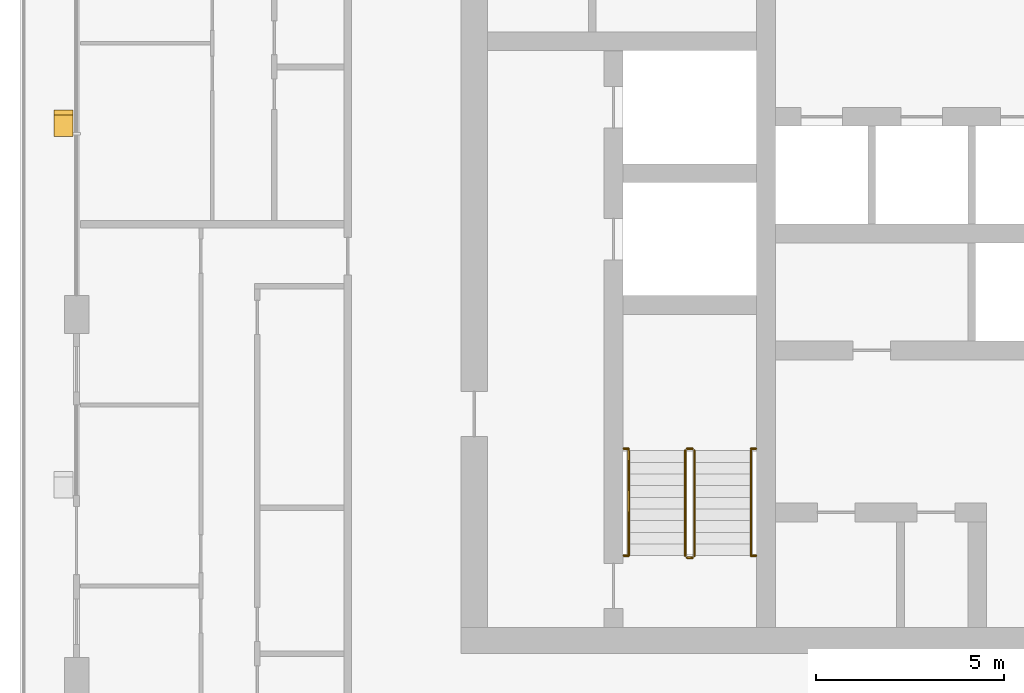
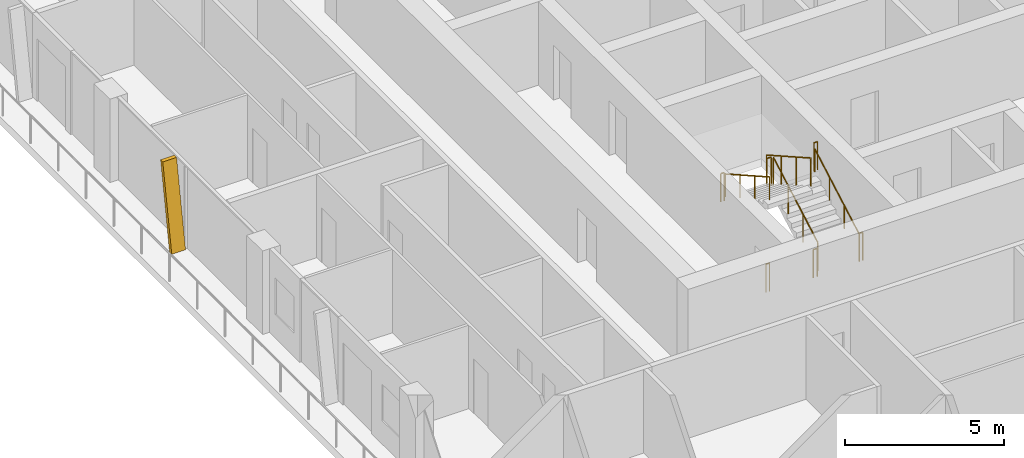
# One storey, part 18 of 22: 10 railings, 1 shading device.
"""IFC4 building model written with IfcOpenShell, lengths in metres."""

from ifc_helpers import new_model, si_unit, direction, frame, origin, origin_2d, place, context, subcontext, project, spatial, polyline, circle, outline, extrude, material, type_object, element, save


model = new_model("IFC4")

# Units and contexts
model_context = context("Model", 3, precision=1e-05, world=origin(), true_north=direction((0.0, 1.0)))
body_context = subcontext(model_context, "Body", "Model", "MODEL_VIEW")
ifc_project = project(units=[si_unit("LENGTHUNIT", "METRE"), si_unit("AREAUNIT", "SQUARE_METRE"), si_unit("VOLUMEUNIT", "CUBIC_METRE"), si_unit("PLANEANGLEUNIT", "RADIAN"), si_unit("MASSUNIT", "GRAM", prefix="KILO")], contexts=[model_context])

# Site, building, storey
site_placement = place(None, origin())
site = spatial("IfcSite", under=ifc_project, at=site_placement, CompositionType="ELEMENT")
building_placement = place(site_placement, origin())
building = spatial("IfcBuilding", under=site, at=building_placement, Name="Madar Terraces", CompositionType="ELEMENT")
storey_placement = place(building_placement, frame((0.0, 0.0, 182.39990234375)))
storey = spatial("IfcBuildingStorey", under=building, at=storey_placement, Name="L47", CompositionType="ELEMENT", Elevation=182.39990234375)

# Shading device
ifc_material_1 = material(Name="Aluminium, black anodised", Category="aluminium")
shading_device_type = type_object("IfcShadingDeviceType", Name="Facade fin blade 140 x 500", PredefinedType="USERDEFINED", material=ifc_material_1)
shading_device_placement = place(storey_placement, frame((4.449951171875, 28.8701171875, 0.0), z_axis=(0.0, 0.0, 1.0), x_axis=(0.0, -1.0, 0.0)))
element("IfcShadingDevice", 1, at=shading_device_placement, inside=storey, type_object=shading_device_type, Name="FIN L47 W2", ObjectType="FIN", PredefinedType="USERDEFINED", context=body_context, shape_type="SweptSolid", body=[
    extrude(outline(polyline([(0.0, 0.0), (0.14013671875, 0.0), (-0.42431640625, 3.2001953125), (-0.564208984375, 3.2001953125), (0.0, 0.0)])), frame((0.0, 0.25, 0.0), z_axis=(0.0, -1.0, 0.0), x_axis=(1.0, 0.0, 0.0)), (0.0, 0.0, 1.0), 0.5),
])

# Railings
ifc_material_2 = material(Name="Stainless steel railing", Category="steel")
railing_type_1 = type_object("IfcRailingType", Name="Stair guard 1100", PredefinedType="GUARDRAIL", material=ifc_material_2)
railing_1_placement = place(storey_placement, frame((21.199951171875, 17.60009765625, 0.175048828125)))
element("IfcRailing", 2, at=railing_1_placement, inside=storey, type_object=railing_type_1, Name="L47 ST1 stair guard 1", PredefinedType="GUARDRAIL", context=body_context, shape_type="SweptSolid", body=[
    extrude(circle(Radius=0.02392578125, at=origin_2d()), frame((0.0, 0.0, 1.076171875), z_axis=(0.0, 0.870815363784, 0.491610213684), x_axis=(-1.0, 0.0, 0.0)), (0.0, 0.0, 1.0), 3.20361328125),
    extrude(circle(Radius=0.02099609375, at=origin_2d()), origin(), (0.0, 0.0, 1.0), 1.052001953125),
    extrude(circle(Radius=0.02099609375, at=origin_2d()), frame((0.0, 0.929931640625, 0.52490234375)), (0.0, 0.0, 1.0), 1.052001953125),
    extrude(circle(Radius=0.02099609375, at=origin_2d()), frame((0.0, 1.85986328125, 1.050048828125)), (0.0, 0.0, 1.0), 1.052001953125),
    extrude(circle(Radius=0.02099609375, at=origin_2d()), frame((0.0, 2.789794921875, 1.574951171875)), (0.0, 0.0, 1.0), 1.052001953125),
])
railing_2_placement = place(storey_placement, frame((21.14990234375, 20.43994140625, 1.75)))
element("IfcRailing", 3, at=railing_2_placement, inside=storey, type_object=railing_type_1, Name="L47 ST1 stair guard 2", PredefinedType="GUARDRAIL", context=body_context, shape_type="SweptSolid", body=[
    extrude(circle(Radius=0.02392578125, at=origin_2d()), frame((0.0, 0.0, 1.076171875), z_axis=(-1.0, 0.0, 0.0), x_axis=(0.0, -1.0, 0.0)), (0.0, 0.0, 1.0), 0.14990234375),
    extrude(circle(Radius=0.02099609375, at=origin_2d()), origin(), (0.0, 0.0, 1.0), 1.052001953125),
    extrude(circle(Radius=0.02099609375, at=origin_2d()), frame((-0.14990234375, 0.0, 0.0)), (0.0, 0.0, 1.0), 1.052001953125),
])
railing_3_placement = place(storey_placement, frame((20.949951171875, 20.389892578125, 1.925048828125)))
element("IfcRailing", 4, at=railing_3_placement, inside=storey, type_object=railing_type_1, Name="L47 ST1 stair guard 3", PredefinedType="GUARDRAIL", context=body_context, shape_type="SweptSolid", body=[
    extrude(circle(Radius=0.02392578125, at=origin_2d()), frame((0.0, 0.0, 1.076171875), z_axis=(0.0, -0.870815363784, 0.491610213684), x_axis=(1.0, 0.0, 0.0)), (0.0, 0.0, 1.0), 3.20361328125),
    extrude(circle(Radius=0.02099609375, at=origin_2d()), origin(), (0.0, 0.0, 1.0), 1.052001953125),
    extrude(circle(Radius=0.02099609375, at=origin_2d()), frame((0.0, -0.929931640625, 0.52490234375)), (0.0, 0.0, 1.0), 1.052001953125),
    extrude(circle(Radius=0.02099609375, at=origin_2d()), frame((0.0, -1.85986328125, 1.050048828125)), (0.0, 0.0, 1.0), 1.052001953125),
    extrude(circle(Radius=0.02099609375, at=origin_2d()), frame((0.0, -2.789794921875, 1.574951171875)), (0.0, 0.0, 1.0), 1.052001953125),
])
railing_4_placement = place(storey_placement, frame((21.14990234375, 17.550048828125, 0.0)))
element("IfcRailing", 5, at=railing_4_placement, inside=storey, type_object=railing_type_1, Name="L47 ST1 stair guard 4", PredefinedType="GUARDRAIL", context=body_context, shape_type="SweptSolid", body=[
    extrude(circle(Radius=0.02392578125, at=origin_2d()), frame((0.0, 0.0, 1.076171875), z_axis=(-1.0, 0.0, 0.0), x_axis=(0.0, -1.0, 0.0)), (0.0, 0.0, 1.0), 0.14990234375),
    extrude(circle(Radius=0.02099609375, at=origin_2d()), origin(), (0.0, 0.0, 1.0), 1.052001953125),
    extrude(circle(Radius=0.02099609375, at=origin_2d()), frame((-0.14990234375, 0.0, 0.0)), (0.0, 0.0, 1.0), 1.052001953125),
])
railing_5_placement = place(storey_placement, frame((19.320068359375, 20.43994140625, 1.75)))
element("IfcRailing", 6, at=railing_5_placement, inside=storey, type_object=railing_type_1, Name="L47 stair guard seat 1", PredefinedType="GUARDRAIL", context=body_context, shape_type="SweptSolid", body=[
    extrude(circle(Radius=0.02392578125, at=origin_2d()), frame((0.0, 0.0, 1.076171875), z_axis=(1.0, 0.0, 0.0), x_axis=(0.0, 1.0, 0.0)), (0.0, 0.0, 1.0), 0.1298828125),
    extrude(circle(Radius=0.02099609375, at=origin_2d()), origin(), (0.0, 0.0, 1.0), 1.052001953125),
    extrude(circle(Radius=0.02099609375, at=origin_2d()), frame((0.1298828125, 0.0, 0.0)), (0.0, 0.0, 1.0), 1.052001953125),
])
railing_6_placement = place(storey_placement, frame((22.699951171875, 20.43994140625, 1.75)))
element("IfcRailing", 7, at=railing_6_placement, inside=storey, type_object=railing_type_1, Name="L47 stair guard seat 2", PredefinedType="GUARDRAIL", context=body_context, shape_type="SweptSolid", body=[
    extrude(circle(Radius=0.02392578125, at=origin_2d()), frame((0.0, 0.0, 1.076171875), z_axis=(1.0, 0.0, 0.0), x_axis=(0.0, 1.0, 0.0)), (0.0, 0.0, 1.0), 0.130126953125),
    extrude(circle(Radius=0.02099609375, at=origin_2d()), origin(), (0.0, 0.0, 1.0), 1.052001953125),
    extrude(circle(Radius=0.02099609375, at=origin_2d()), frame((0.130126953125, 0.0, 0.0)), (0.0, 0.0, 1.0), 1.052001953125),
])
railing_7_placement = place(storey_placement, frame((19.320068359375, 17.60009765625, 0.0)))
element("IfcRailing", 8, at=railing_7_placement, inside=storey, type_object=railing_type_1, Name="L47 stair guard floor 1", PredefinedType="GUARDRAIL", context=body_context, shape_type="SweptSolid", body=[
    extrude(circle(Radius=0.02392578125, at=origin_2d()), frame((0.0, 0.0, 1.076171875), z_axis=(1.0, 0.0, 0.0), x_axis=(0.0, 1.0, 0.0)), (0.0, 0.0, 1.0), 0.1298828125),
    extrude(circle(Radius=0.02099609375, at=origin_2d()), origin(), (0.0, 0.0, 1.0), 1.052001953125),
    extrude(circle(Radius=0.02099609375, at=origin_2d()), frame((0.1298828125, 0.0, 0.0)), (0.0, 0.0, 1.0), 1.052001953125),
])
railing_8_placement = place(storey_placement, frame((22.699951171875, 17.60009765625, 0.0)))
element("IfcRailing", 9, at=railing_8_placement, inside=storey, type_object=railing_type_1, Name="L47 stair guard floor 2", PredefinedType="GUARDRAIL", context=body_context, shape_type="SweptSolid", body=[
    extrude(circle(Radius=0.02392578125, at=origin_2d()), frame((0.0, 0.0, 1.076171875), z_axis=(1.0, 0.0, 0.0), x_axis=(0.0, 1.0, 0.0)), (0.0, 0.0, 1.0), 0.130126953125),
    extrude(circle(Radius=0.02099609375, at=origin_2d()), origin(), (0.0, 0.0, 1.0), 1.052001953125),
    extrude(circle(Radius=0.02099609375, at=origin_2d()), frame((0.130126953125, 0.0, 0.0)), (0.0, 0.0, 1.0), 1.052001953125),
])
ifc_material_3 = material(Name="Stainless steel railing", Category="steel")
railing_type_2 = type_object("IfcRailingType", Name="Stair handrail 900", PredefinedType="HANDRAIL", material=ifc_material_3)
railing_9_placement = place(storey_placement, frame((22.699951171875, 17.60009765625, 0.175048828125)))
element("IfcRailing", 10, at=railing_9_placement, inside=storey, type_object=railing_type_2, Name="L47 ST1 stair handrail 1", PredefinedType="HANDRAIL", context=body_context, shape_type="SweptSolid", body=[
    extrude(circle(Radius=0.02392578125, at=origin_2d()), frame((0.0, 0.0, 0.8759765625), z_axis=(0.0, 0.870815363784, 0.491610213684), x_axis=(-1.0, 0.0, 0.0)), (0.0, 0.0, 1.0), 3.20361328125),
    extrude(circle(Radius=0.02099609375, at=origin_2d()), origin(), (0.0, 0.0, 1.0), 0.851806640625),
    extrude(circle(Radius=0.02099609375, at=origin_2d()), frame((0.0, 0.929931640625, 0.52490234375)), (0.0, 0.0, 1.0), 0.851806640625),
    extrude(circle(Radius=0.02099609375, at=origin_2d()), frame((0.0, 1.85986328125, 1.050048828125)), (0.0, 0.0, 1.0), 0.851806640625),
    extrude(circle(Radius=0.02099609375, at=origin_2d()), frame((0.0, 2.789794921875, 1.574951171875)), (0.0, 0.0, 1.0), 0.851806640625),
])
railing_10_placement = place(storey_placement, frame((19.449951171875, 20.389892578125, 1.925048828125)))
element("IfcRailing", 11, at=railing_10_placement, inside=storey, type_object=railing_type_2, Name="L47 ST1 stair handrail 2", PredefinedType="HANDRAIL", context=body_context, shape_type="SweptSolid", body=[
    extrude(circle(Radius=0.02392578125, at=origin_2d()), frame((0.0, 0.0, 0.8759765625), z_axis=(0.0, -0.870815363784, 0.491610213684), x_axis=(1.0, 0.0, 0.0)), (0.0, 0.0, 1.0), 3.20361328125),
    extrude(circle(Radius=0.02099609375, at=origin_2d()), origin(), (0.0, 0.0, 1.0), 0.851806640625),
    extrude(circle(Radius=0.02099609375, at=origin_2d()), frame((0.0, -0.929931640625, 0.52490234375)), (0.0, 0.0, 1.0), 0.851806640625),
    extrude(circle(Radius=0.02099609375, at=origin_2d()), frame((0.0, -1.85986328125, 1.050048828125)), (0.0, 0.0, 1.0), 0.851806640625),
    extrude(circle(Radius=0.02099609375, at=origin_2d()), frame((0.0, -2.789794921875, 1.574951171875)), (0.0, 0.0, 1.0), 0.851806640625),
])

save(model, "model.ifc")
